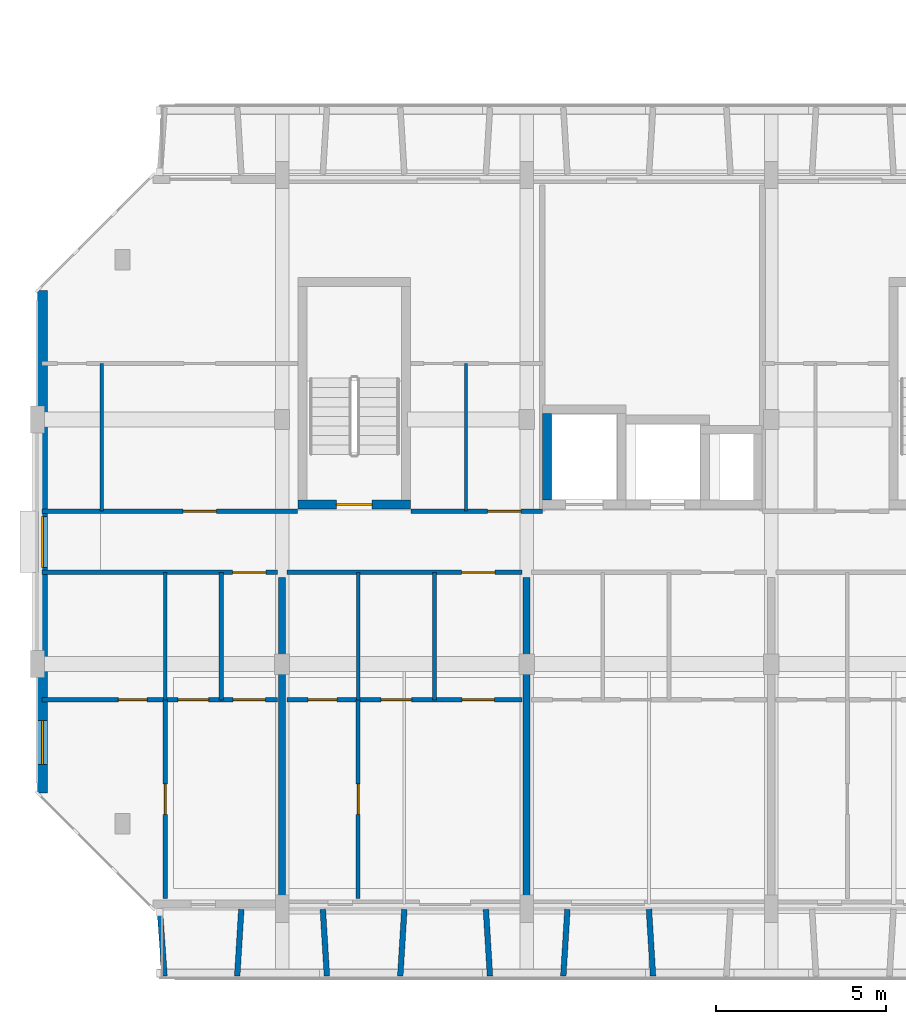
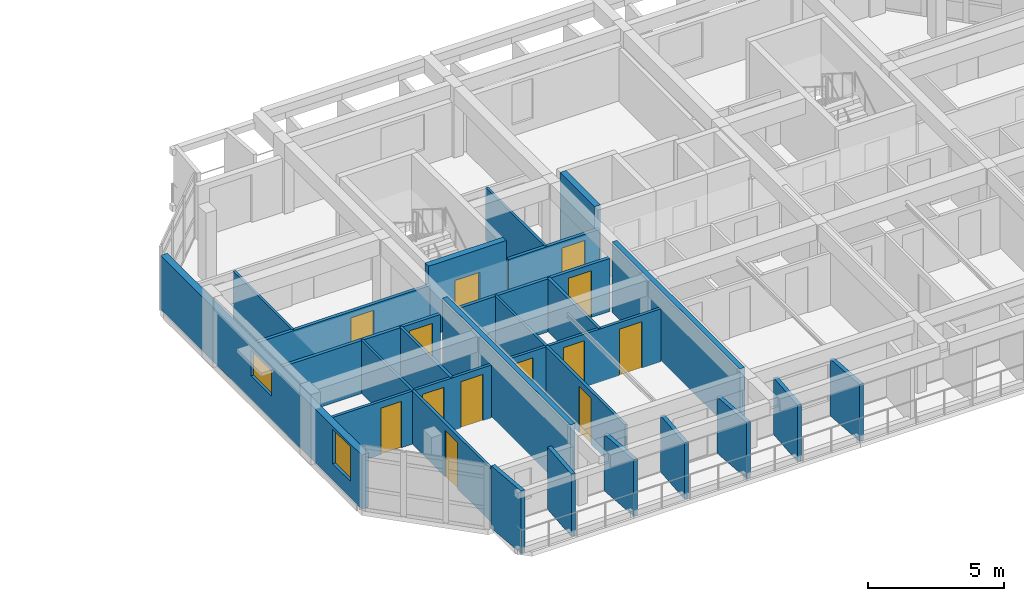
# One storey, part 17 of 46: 26 walls, 13 doors, 2 windows, 15 openings.
"""IFC4 building model written with IfcOpenShell, lengths in metres."""

from ifc_helpers import new_model, si_unit, direction, frame, frame_2d, origin, place, context, subcontext, project, spatial, rectangle, extrude, material, layer, layer_set, type_object, element, fill, save


model = new_model("IFC4")

# Units and contexts
model_context = context("Model", 3, precision=1e-05, world=origin(), true_north=direction((0.0, 1.0)))
body_context = subcontext(model_context, "Body", "Model", "MODEL_VIEW")
ifc_project = project(units=[si_unit("LENGTHUNIT", "METRE"), si_unit("AREAUNIT", "SQUARE_METRE"), si_unit("VOLUMEUNIT", "CUBIC_METRE"), si_unit("PLANEANGLEUNIT", "RADIAN"), si_unit("MASSUNIT", "GRAM", prefix="KILO")], contexts=[model_context])

# Site, building, storey
site_placement = place(None, origin())
site = spatial("IfcSite", under=ifc_project, at=site_placement, CompositionType="ELEMENT")
building_placement = place(site_placement, origin())
building = spatial("IfcBuilding", under=site, at=building_placement, Name="Ochrevale Crest", CompositionType="ELEMENT")
storey_placement = place(building_placement, frame((0.0, 0.0, 24.449951171875)))
storey = spatial("IfcBuildingStorey", under=building, at=storey_placement, Name="L07", CompositionType="ELEMENT", Elevation=24.449951171875)

# Wall, opening, door
ifc_material_1 = material(Name="Gypsum plasterboard", Category="gypsum")
ifc_layer_1 = layer(ifc_material_1, 0.139892578125)
ifc_layer_set_1 = layer_set([ifc_layer_1], Name="Gypsum plasterboard")
wall_type_1 = type_object("IfcWallType", Name="WL-COR-140", PredefinedType="PARTITIONING", material=ifc_layer_set_1)
wall_1_placement = place(storey_placement, frame((0.139892578125, 24.300048828125, 0.0), z_axis=(0.0, 0.0, 1.0), x_axis=(1.0, 0.0, 0.0)))
wall_1 = element("IfcWall", 1, at=wall_1_placement, inside=storey, type_object=wall_type_1, Name="Apartment A-L07-U1 corridor wall", PredefinedType="PARTITIONING", context=body_context, shape_type="SweptSolid", body=[
    extrude(rectangle(XDim=6.920166015625, YDim=0.139892578125, at=frame_2d((3.4599609375, 0.0))), origin(), (0.0, 0.0, 1.0), 2.380126953125),
])
opening_1_placement = place(wall_1_placement, frame((5.60498046875, 0.0, 0.0)))
opening_1 = element("IfcOpeningElement", 2, at=opening_1_placement, cuts=wall_1, Name="Opening FD01", PredefinedType="OPENING", context=body_context, shape_type="SweptSolid", body=[
    extrude(rectangle(XDim=0.97998046875, YDim=2.10009765625, at=frame_2d((0.489990234375, 1.050048828125))), frame((0.0, 0.080078125, 0.0), z_axis=(0.0, -1.0, 0.0), x_axis=(1.0, 0.0, 0.0)), (0.0, 0.0, 1.0), 0.159912109375),
])
ifc_material_2 = material(Name="Solid-core FSC hardwood", Category="wood")
door_type_1 = type_object("IfcDoorType", Name="DR-APT-950", OperationType="NOTDEFINED", PredefinedType="DOOR", material=ifc_material_2)
door_1_placement = place(opening_1_placement, origin())
door_1 = element("IfcDoor", 3, at=door_1_placement, inside=storey, type_object=door_type_1, Name="Apartment A-L07-U1 entrance door", OperationType="SINGLE_SWING_LEFT", OverallHeight=2.10009765625, OverallWidth=0.97998046875, PredefinedType="DOOR", context=body_context, shape_type="SweptSolid", body=[
    extrude(rectangle(XDim=0.97998046875, YDim=2.10009765625, at=frame_2d((0.489990234375, 1.050048828125))), frame((0.0, 0.02490234375, 0.0), z_axis=(0.0, -1.0, 0.0), x_axis=(1.0, 0.0, 0.0)), (0.0, 0.0, 1.0), 0.050048828125),
])
fill(opening_1, door_1)

wall_2_placement = place(storey_placement, frame((7.340087890625, 24.300048828125, 0.0), z_axis=(0.0, 0.0, 1.0), x_axis=(1.0, 0.0, 0.0)))
wall_2 = element("IfcWall", 4, at=wall_2_placement, inside=storey, type_object=wall_type_1, Name="Apartment A-L07-U2 corridor wall", PredefinedType="PARTITIONING", context=body_context, shape_type="SweptSolid", body=[
    extrude(rectangle(XDim=6.919921875, YDim=0.139892578125, at=frame_2d((3.4599609375, 0.0))), origin(), (0.0, 0.0, 1.0), 2.380126953125),
])
opening_2_placement = place(wall_2_placement, frame((6.125, 0.0, 0.0), z_axis=(0.0, 0.0, 1.0), x_axis=(-1.0, 0.0, 0.0)))
opening_2 = element("IfcOpeningElement", 5, at=opening_2_placement, cuts=wall_2, Name="Opening FD01", PredefinedType="OPENING", context=body_context, shape_type="SweptSolid", body=[
    extrude(rectangle(XDim=0.97998046875, YDim=2.10009765625, at=frame_2d((0.489990234375, 1.050048828125))), frame((0.0, 0.080078125, 0.0), z_axis=(0.0, -1.0, 0.0), x_axis=(1.0, 0.0, 0.0)), (0.0, 0.0, 1.0), 0.159912109375),
])
door_2_placement = place(opening_2_placement, origin())
door_2 = element("IfcDoor", 6, at=door_2_placement, inside=storey, type_object=door_type_1, Name="Apartment A-L07-U2 entrance door", OperationType="SINGLE_SWING_RIGHT", OverallHeight=2.10009765625, OverallWidth=0.97998046875, PredefinedType="DOOR", context=body_context, shape_type="SweptSolid", body=[
    extrude(rectangle(XDim=0.97998046875, YDim=2.10009765625, at=frame_2d((0.489990234375, 1.050048828125))), frame((0.0, 0.02490234375, 0.0), z_axis=(0.0, -1.0, 0.0), x_axis=(1.0, 0.0, 0.0)), (0.0, 0.0, 1.0), 0.050048828125),
])
fill(opening_2, door_2)

wall_3_placement = place(storey_placement, frame((0.139892578125, 26.10009765625, 0.0), z_axis=(0.0, 0.0, 1.0), x_axis=(1.0, 0.0, 0.0)))
wall_3 = element("IfcWall", 7, at=wall_3_placement, inside=storey, type_object=wall_type_1, Name="Suite A-L07-CW corridor wall", PredefinedType="PARTITIONING", context=body_context, shape_type="SweptSolid", body=[
    extrude(rectangle(XDim=7.52001953125, YDim=0.139892578125, at=frame_2d((3.760009765625, 0.0))), origin(), (0.0, 0.0, 1.0), 2.380126953125),
])
opening_3_placement = place(wall_3_placement, frame((5.125, 0.0, 0.0), z_axis=(0.0, 0.0, 1.0), x_axis=(-1.0, 0.0, 0.0)))
opening_3 = element("IfcOpeningElement", 8, at=opening_3_placement, cuts=wall_3, Name="Opening FD01", PredefinedType="OPENING", context=body_context, shape_type="SweptSolid", body=[
    extrude(rectangle(XDim=0.97998046875, YDim=2.10009765625, at=frame_2d((0.489990234375, 1.050048828125))), frame((0.0, 0.080078125, 0.0), z_axis=(0.0, -1.0, 0.0), x_axis=(1.0, 0.0, 0.0)), (0.0, 0.0, 1.0), 0.159912109375),
])
door_3_placement = place(opening_3_placement, origin())
door_3 = element("IfcDoor", 9, at=door_3_placement, inside=storey, type_object=door_type_1, Name="Suite A-L07-CW entrance door", OperationType="SINGLE_SWING_RIGHT", OverallHeight=2.10009765625, OverallWidth=0.97998046875, PredefinedType="DOOR", context=body_context, shape_type="SweptSolid", body=[
    extrude(rectangle(XDim=0.97998046875, YDim=2.10009765625, at=frame_2d((0.489990234375, 1.050048828125))), frame((0.0, 0.02490234375, 0.0), z_axis=(0.0, -1.0, 0.0), x_axis=(1.0, 0.0, 0.0)), (0.0, 0.0, 1.0), 0.050048828125),
])
fill(opening_3, door_3)

wall_4_placement = place(storey_placement, frame((10.989990234375, 26.10009765625, 0.0), z_axis=(0.0, 0.0, 1.0), x_axis=(1.0, 0.0, 0.0)))
wall_4 = element("IfcWall", 10, at=wall_4_placement, inside=storey, type_object=wall_type_1, Name="Suite A-L07-MW corridor wall", PredefinedType="PARTITIONING", context=body_context, shape_type="SweptSolid", body=[
    extrude(rectangle(XDim=3.8701171875, YDim=0.139892578125, at=frame_2d((1.93505859375, 0.0))), origin(), (0.0, 0.0, 1.0), 2.380126953125),
])
opening_4_placement = place(wall_4_placement, frame((2.2578125, 0.0, 0.0)))
opening_4 = element("IfcOpeningElement", 11, at=opening_4_placement, cuts=wall_4, Name="Opening FD01", PredefinedType="OPENING", context=body_context, shape_type="SweptSolid", body=[
    extrude(rectangle(XDim=0.97998046875, YDim=2.10009765625, at=frame_2d((0.489990234375, 1.050048828125))), frame((0.0, 0.080078125, 0.0), z_axis=(0.0, -1.0, 0.0), x_axis=(1.0, 0.0, 0.0)), (0.0, 0.0, 1.0), 0.159912109375),
])
door_4_placement = place(opening_4_placement, origin())
door_4 = element("IfcDoor", 12, at=door_4_placement, inside=storey, type_object=door_type_1, Name="Suite A-L07-MW entrance door", OperationType="SINGLE_SWING_LEFT", OverallHeight=2.10009765625, OverallWidth=0.97998046875, PredefinedType="DOOR", context=body_context, shape_type="SweptSolid", body=[
    extrude(rectangle(XDim=0.97998046875, YDim=2.10009765625, at=frame_2d((0.489990234375, 1.050048828125))), frame((0.0, 0.02490234375, 0.0), z_axis=(0.0, -1.0, 0.0), x_axis=(1.0, 0.0, 0.0)), (0.0, 0.0, 1.0), 0.050048828125),
])
fill(opening_4, door_4)

ifc_material_3 = material(Name="Precast concrete C50/60", Category="concrete")
ifc_layer_2 = layer(ifc_material_3, 0.2548828125)
ifc_layer_set_2 = layer_set([ifc_layer_2], Name="Precast concrete C50/60")
wall_type_2 = type_object("IfcWallType", Name="WL-CORE-255", PredefinedType="SHEAR", material=ifc_layer_set_2)
wall_5_placement = place(storey_placement, frame((7.672607421875, 26.300048828125, 0.0), z_axis=(0.0, 0.0, 1.0), x_axis=(1.0, 0.0, 0.0)))
wall_5 = element("IfcWall", 13, at=wall_5_placement, inside=storey, type_object=wall_type_2, Name="Block A L07 Stair 1 precast core shear wall S", PredefinedType="SHEAR", context=body_context, shape_type="SweptSolid", body=[
    extrude(rectangle(XDim=3.304931640625, YDim=0.2548828125, at=frame_2d((1.65234375, 0.0))), origin(), (0.0, 0.0, 1.0), 3.150146484375),
])
opening_5_placement = place(wall_5_placement, frame((2.177490234375, 0.0, 0.0), z_axis=(0.0, 0.0, 1.0), x_axis=(-1.0, 0.0, 0.0)))
opening_5 = element("IfcOpeningElement", 14, at=opening_5_placement, cuts=wall_5, Name="Opening FD03", PredefinedType="OPENING", context=body_context, shape_type="SweptSolid", body=[
    extrude(rectangle(XDim=1.050048828125, YDim=2.1201171875, at=frame_2d((0.52490234375, 1.06005859375))), frame((0.0, 0.137451171875, 0.0), z_axis=(0.0, -1.0, 0.0), x_axis=(1.0, 0.0, 0.0)), (0.0, 0.0, 1.0), 0.27490234375),
])
door_type_2 = type_object("IfcDoorType", Name="DR-ST-1050", OperationType="NOTDEFINED", PredefinedType="DOOR", material=ifc_material_2)
door_5_placement = place(opening_5_placement, origin())
door_5 = element("IfcDoor", 15, at=door_5_placement, inside=storey, type_object=door_type_2, Name="Block A L07 fire stair 1 door", OperationType="SINGLE_SWING_RIGHT", OverallHeight=2.1201171875, OverallWidth=1.050048828125, PredefinedType="DOOR", context=body_context, shape_type="SweptSolid", body=[
    extrude(rectangle(XDim=1.050048828125, YDim=2.1201171875, at=frame_2d((0.52490234375, 1.06005859375))), frame((0.0, 0.02490234375, 0.0), z_axis=(0.0, -1.0, 0.0), x_axis=(1.0, 0.0, 0.0)), (0.0, 0.0, 1.0), 0.050048828125),
])
fill(opening_5, door_5)

# Wall
wall_6_placement = place(storey_placement, frame((15.0, 26.427490234375, 0.0), z_axis=(0.0, 0.0, 1.0), x_axis=(0.0, 1.0, 0.0)))
element("IfcWall", 16, at=wall_6_placement, inside=storey, type_object=wall_type_2, Name="Block A L07 Lift 1 precast shaft shear wall W", PredefinedType="SHEAR", context=body_context, shape_type="SweptSolid", body=[
    extrude(rectangle(XDim=2.544921875, YDim=0.2548828125, at=frame_2d((1.2724609375, 0.0))), origin(), (0.0, 0.0, 1.0), 3.150146484375),
])

# Wall, openings, windows
ifc_material_4 = material(Name="Clay face brickwork", Category="masonry")
ifc_layer_3 = layer(ifc_material_4, 0.2900390625)
ifc_layer_set_3 = layer_set([ifc_layer_3], Name="Clay face brickwork")
wall_type_3 = type_object("IfcWallType", Name="WL-EXT-BRICK-290", PredefinedType="SOLIDWALL", material=ifc_layer_set_3)
wall_7_placement = place(storey_placement, frame((0.14501953125, 32.60009765625, 0.0), z_axis=(0.0, 0.0, 1.0), x_axis=(0.0, -1.0, 0.0)))
wall_7 = element("IfcWall", 17, at=wall_7_placement, inside=storey, type_object=wall_type_3, Name="Block A L07 external facade wall E7", PredefinedType="SOLIDWALL", context=body_context, shape_type="SweptSolid", body=[
    extrude(rectangle(XDim=14.800048828125, YDim=0.2900390625, at=frame_2d((7.39990234375, 0.0))), origin(), (0.0, 0.0, 1.0), 2.429931640625),
])
opening_6_placement = place(wall_7_placement, frame((6.64990234375, 0.0, 1.050048828125)))
opening_6 = element("IfcOpeningElement", 18, at=opening_6_placement, cuts=wall_7, Name="Opening W18", PredefinedType="OPENING", context=body_context, shape_type="SweptSolid", body=[
    extrude(rectangle(XDim=1.5, YDim=1.14990234375, at=frame_2d((0.75, 0.574951171875))), frame((0.0, 0.155029296875, 0.0), z_axis=(0.0, -1.0, 0.0), x_axis=(1.0, 0.0, 0.0)), (0.0, 0.0, 1.0), 0.31005859375),
])
opening_7_placement = place(wall_7_placement, frame((12.659912109375, 0.0, 0.75)))
opening_7 = element("IfcOpeningElement", 19, at=opening_7_placement, cuts=wall_7, Name="Opening W30", PredefinedType="OPENING", context=body_context, shape_type="SweptSolid", body=[
    extrude(rectangle(XDim=1.300048828125, YDim=1.550048828125, at=frame_2d((0.64990234375, 0.77490234375))), frame((0.0, 0.155029296875, 0.0), z_axis=(0.0, -1.0, 0.0), x_axis=(1.0, 0.0, 0.0)), (0.0, 0.0, 1.0), 0.31005859375),
])
ifc_material_5 = material(Name="Anodised aluminium 6063-T5 and low-E double glazing", Category="aluminium")
window_type_1 = type_object("IfcWindowType", Name="WIN-W18", PartitioningType="SINGLE_PANEL", PredefinedType="WINDOW", material=ifc_material_5)
window_1_placement = place(opening_6_placement, origin())
window_1 = element("IfcWindow", 20, at=window_1_placement, inside=storey, type_object=window_type_1, Name="Block A L07 corridor end daylight window W", OverallHeight=1.14990234375, OverallWidth=1.5, PartitioningType="SINGLE_PANEL", PredefinedType="WINDOW", context=body_context, shape_type="SweptSolid", body=[
    extrude(rectangle(XDim=1.5, YDim=1.14990234375, at=frame_2d((0.75, 0.574951171875))), frame((0.0, 0.030029296875, 0.0), z_axis=(0.0, -1.0, 0.0), x_axis=(1.0, 0.0, 0.0)), (0.0, 0.0, 1.0), 0.06005859375),
])
fill(opening_6, window_1)
window_type_2 = type_object("IfcWindowType", Name="WIN-W30", PartitioningType="SINGLE_PANEL", PredefinedType="WINDOW", material=ifc_material_5)
window_2_placement = place(opening_7_placement, origin())
window_2 = element("IfcWindow", 21, at=window_2_placement, inside=storey, type_object=window_type_2, Name="Block A L07 side suite window W", OverallHeight=1.550048828125, OverallWidth=1.300048828125, PartitioningType="SINGLE_PANEL", PredefinedType="WINDOW", context=body_context, shape_type="SweptSolid", body=[
    extrude(rectangle(XDim=1.300048828125, YDim=1.550048828125, at=frame_2d((0.64990234375, 0.77490234375))), frame((0.0, 0.030029296875, 0.0), z_axis=(0.0, -1.0, 0.0), x_axis=(1.0, 0.0, 0.0)), (0.0, 0.0, 1.0), 0.06005859375),
])
fill(opening_7, window_2)

# Walls
ifc_material_6 = material(Name="Precast concrete C40/50", Category="concrete")
ifc_layer_4 = layer(ifc_material_6, 0.1650390625)
ifc_layer_set_4 = layer_set([ifc_layer_4], Name="Precast concrete C40/50")
wall_type_4 = type_object("IfcWallType", Name="WL-HC-CHEEK-165", PredefinedType="ELEMENTEDWALL", material=ifc_layer_set_4)
wall_8_placement = place(storey_placement, frame((3.60009765625, 14.3798828125, 0.0), z_axis=(0.0, 0.0, 1.0), x_axis=(0.071194071069, -0.997462482625, 0.0)))
element("IfcWall", 22, at=wall_8_placement, inside=storey, type_object=wall_type_4, Name="Block A L07 S precast honeycomb cheek 1", PredefinedType="ELEMENTEDWALL", context=body_context, shape_type="SweptSolid", body=[
    extrude(rectangle(XDim=1.96484375, YDim=0.1650390625, at=frame_2d((0.982421875, 0.0))), origin(), (0.0, 0.0, 1.0), 2.800048828125),
])
wall_9_placement = place(storey_placement, frame((6.0, 14.3798828125, 0.0), z_axis=(0.0, 0.0, 1.0), x_axis=(-0.061170732449, -0.998127317276, 0.0)))
element("IfcWall", 23, at=wall_9_placement, inside=storey, type_object=wall_type_4, Name="Block A L07 S precast honeycomb cheek 2", PredefinedType="ELEMENTEDWALL", context=body_context, shape_type="SweptSolid", body=[
    extrude(rectangle(XDim=1.963623046875, YDim=0.1650390625, at=frame_2d((0.98193359375, 0.0))), origin(), (0.0, 0.0, 1.0), 2.800048828125),
])
for number, where, z_axis, x_axis, name in (
    (24, (8.39990234375, 14.3798828125, 0.0), (0.0, 0.0, 1.0), (0.061170732449, -0.998127317276, 0.0), "Block A L07 S precast honeycomb cheek 3"),
    (25, (10.800048828125, 14.3798828125, 0.0), (0.0, 0.0, 1.0), (-0.061170732449, -0.998127317276, 0.0), "Block A L07 S precast honeycomb cheek 4"),
    (26, (13.199951171875, 14.3798828125, 0.0), (0.0, 0.0, 1.0), (0.061170732449, -0.998127317276, 0.0), "Block A L07 S precast honeycomb cheek 5"),
):
    element("IfcWall", number, at=place(storey_placement, frame(where, z_axis=z_axis, x_axis=x_axis)), inside=storey, type_object=wall_type_4, Name=name, PredefinedType="ELEMENTEDWALL", context=body_context, shape_type="SweptSolid", body=[
        extrude(rectangle(XDim=1.963623046875, YDim=0.1650390625, at=frame_2d((0.98193359375, 0.0))), origin(), (0.0, 0.0, 1.0), 2.530029296875),
    ])
for number, where, z_axis, x_axis, name in (
    (27, (15.60009765625, 14.3798828125, 0.0), (0.0, 0.0, 1.0), (-0.061170732449, -0.998127317276, 0.0), "Block A L07 S precast honeycomb cheek 6"),
    (28, (18.0, 14.3798828125, 0.0), (0.0, 0.0, 1.0), (0.061170732449, -0.998127317276, 0.0), "Block A L07 S precast honeycomb cheek 7"),
):
    element("IfcWall", number, at=place(storey_placement, frame(where, z_axis=z_axis, x_axis=x_axis)), inside=storey, type_object=wall_type_4, Name=name, PredefinedType="ELEMENTEDWALL", context=body_context, shape_type="SweptSolid", body=[
        extrude(rectangle(XDim=1.963623046875, YDim=0.1650390625, at=frame_2d((0.98193359375, 0.0))), origin(), (0.0, 0.0, 1.0), 2.550048828125),
    ])
ifc_layer_5 = layer(ifc_material_1, 0.1201171875)
ifc_layer_set_5 = layer_set([ifc_layer_5], Name="Gypsum plasterboard")
wall_type_5 = type_object("IfcWallType", Name="WL-PART-120", PredefinedType="PARTITIONING", material=ifc_layer_set_5)
wall_10_placement = place(storey_placement, frame((5.409912109375, 20.550048828125, 0.0), z_axis=(0.0, 0.0, 1.0), x_axis=(0.0, 1.0, 0.0)))
element("IfcWall", 29, at=wall_10_placement, inside=storey, type_object=wall_type_5, Name="Apartment A-L07-U1 kitchen-foyer wall", PredefinedType="PARTITIONING", context=body_context, shape_type="SweptSolid", body=[
    extrude(rectangle(XDim=3.75, YDim=0.1201171875, at=frame_2d((1.875, 0.0))), origin(), (0.0, 0.0, 1.0), 2.380126953125),
])

# Wall, openings, doors
wall_11_placement = place(storey_placement, frame((0.139892578125, 20.550048828125, 0.0), z_axis=(0.0, 0.0, 1.0), x_axis=(1.0, 0.0, 0.0)))
wall_11 = element("IfcWall", 30, at=wall_11_placement, inside=storey, type_object=wall_type_5, Name="Apartment A-L07-U1 central partition", PredefinedType="PARTITIONING", context=body_context, shape_type="SweptSolid", body=[
    extrude(rectangle(XDim=6.920166015625, YDim=0.1201171875, at=frame_2d((3.4599609375, 0.0))), origin(), (0.0, 0.0, 1.0), 2.380126953125),
])
opening_8_placement = place(wall_11_placement, frame((3.090087890625, 0.0, 0.0), z_axis=(0.0, 0.0, 1.0), x_axis=(-1.0, 0.0, 0.0)))
opening_8 = element("IfcOpeningElement", 31, at=opening_8_placement, cuts=wall_11, Name="Opening ID01", PredefinedType="OPENING", context=body_context, shape_type="SweptSolid", body=[
    extrude(rectangle(XDim=0.85009765625, YDim=2.080078125, at=frame_2d((0.425048828125, 1.0400390625))), frame((0.0, 0.070068359375, 0.0), z_axis=(0.0, -1.0, 0.0), x_axis=(1.0, 0.0, 0.0)), (0.0, 0.0, 1.0), 0.14013671875),
])
opening_9_placement = place(wall_11_placement, frame((3.9951171875, 0.0, 0.0)))
opening_9 = element("IfcOpeningElement", 32, at=opening_9_placement, cuts=wall_11, Name="Opening ID02", PredefinedType="OPENING", context=body_context, shape_type="SweptSolid", body=[
    extrude(rectangle(XDim=0.89990234375, YDim=2.080078125, at=frame_2d((0.449951171875, 1.0400390625))), frame((0.0, 0.070068359375, 0.0), z_axis=(0.0, -1.0, 0.0), x_axis=(1.0, 0.0, 0.0)), (0.0, 0.0, 1.0), 0.14013671875),
])
opening_10_placement = place(wall_11_placement, frame((6.570068359375, 0.0, 0.0), z_axis=(0.0, 0.0, 1.0), x_axis=(-1.0, 0.0, 0.0)))
opening_10 = element("IfcOpeningElement", 33, at=opening_10_placement, cuts=wall_11, Name="Opening ID06", PredefinedType="OPENING", context=body_context, shape_type="SweptSolid", body=[
    extrude(rectangle(XDim=0.949951171875, YDim=2.080078125, at=frame_2d((0.47509765625, 1.0400390625))), frame((0.0, 0.070068359375, 0.0), z_axis=(0.0, -1.0, 0.0), x_axis=(1.0, 0.0, 0.0)), (0.0, 0.0, 1.0), 0.14013671875),
])
door_type_3 = type_object("IfcDoorType", Name="DR-INT-900", OperationType="NOTDEFINED", PredefinedType="DOOR", material=ifc_material_2)
door_6_placement = place(opening_9_placement, origin())
door_6 = element("IfcDoor", 34, at=door_6_placement, inside=storey, type_object=door_type_3, Name="Apartment A-L07-U1 Kitchen door", OperationType="SINGLE_SWING_LEFT", OverallHeight=2.080078125, OverallWidth=0.89990234375, PredefinedType="DOOR", context=body_context, shape_type="SweptSolid", body=[
    extrude(rectangle(XDim=0.89990234375, YDim=2.080078125, at=frame_2d((0.449951171875, 1.0400390625))), frame((0.0, 0.02490234375, 0.0), z_axis=(0.0, -1.0, 0.0), x_axis=(1.0, 0.0, 0.0)), (0.0, 0.0, 1.0), 0.050048828125),
])
fill(opening_9, door_6)
door_type_4 = type_object("IfcDoorType", Name="DR-INT-950", OperationType="NOTDEFINED", PredefinedType="DOOR", material=ifc_material_2)
door_7_placement = place(opening_10_placement, origin())
door_7 = element("IfcDoor", 35, at=door_7_placement, inside=storey, type_object=door_type_4, Name="Apartment A-L07-U1 Living Foyer door", OperationType="SINGLE_SWING_RIGHT", OverallHeight=2.080078125, OverallWidth=0.949951171875, PredefinedType="DOOR", context=body_context, shape_type="SweptSolid", body=[
    extrude(rectangle(XDim=0.949951171875, YDim=2.080078125, at=frame_2d((0.47509765625, 1.0400390625))), frame((0.0, 0.02490234375, 0.0), z_axis=(0.0, -1.0, 0.0), x_axis=(1.0, 0.0, 0.0)), (0.0, 0.0, 1.0), 0.050048828125),
])
fill(opening_10, door_7)
door_type_5 = type_object("IfcDoorType", Name="DR-WC-850", OperationType="NOTDEFINED", PredefinedType="DOOR", material=ifc_material_2)
door_8_placement = place(opening_8_placement, origin())
door_8 = element("IfcDoor", 36, at=door_8_placement, inside=storey, type_object=door_type_5, Name="Apartment A-L07-U1 Bathroom door", OperationType="SINGLE_SWING_RIGHT", OverallHeight=2.080078125, OverallWidth=0.85009765625, PredefinedType="DOOR", context=body_context, shape_type="SweptSolid", body=[
    extrude(rectangle(XDim=0.85009765625, YDim=2.080078125, at=frame_2d((0.425048828125, 1.0400390625))), frame((0.0, 0.02490234375, 0.0), z_axis=(0.0, -1.0, 0.0), x_axis=(1.0, 0.0, 0.0)), (0.0, 0.0, 1.0), 0.050048828125),
])
fill(opening_8, door_8)

# Wall, opening, door
wall_12_placement = place(storey_placement, frame((3.760009765625, 14.699951171875, 0.0), z_axis=(0.0, 0.0, 1.0), x_axis=(0.0, 1.0, 0.0)))
wall_12 = element("IfcWall", 37, at=wall_12_placement, inside=storey, type_object=wall_type_5, Name="Apartment A-L07-U1 bedroom partition", PredefinedType="PARTITIONING", context=body_context, shape_type="SweptSolid", body=[
    extrude(rectangle(XDim=5.85009765625, YDim=0.1201171875, at=frame_2d((2.925048828125, 0.0))), origin(), (0.0, 0.0, 1.0), 2.380126953125),
])
opening_11_placement = place(wall_12_placement, frame((2.47509765625, 0.0, 0.0)))
opening_11 = element("IfcOpeningElement", 38, at=opening_11_placement, cuts=wall_12, Name="Opening ID02", PredefinedType="OPENING", context=body_context, shape_type="SweptSolid", body=[
    extrude(rectangle(XDim=0.89990234375, YDim=2.080078125, at=frame_2d((0.449951171875, 1.0400390625))), frame((0.0, 0.070068359375, 0.0), z_axis=(0.0, -1.0, 0.0), x_axis=(1.0, 0.0, 0.0)), (0.0, 0.0, 1.0), 0.14013671875),
])
door_9_placement = place(opening_11_placement, origin())
door_9 = element("IfcDoor", 39, at=door_9_placement, inside=storey, type_object=door_type_3, Name="Apartment A-L07-U1 Master Bedroom door", OperationType="SINGLE_SWING_LEFT", OverallHeight=2.080078125, OverallWidth=0.89990234375, PredefinedType="DOOR", context=body_context, shape_type="SweptSolid", body=[
    extrude(rectangle(XDim=0.89990234375, YDim=2.080078125, at=frame_2d((0.449951171875, 1.0400390625))), frame((0.0, 0.02490234375, 0.0), z_axis=(0.0, -1.0, 0.0), x_axis=(1.0, 0.0, 0.0)), (0.0, 0.0, 1.0), 0.050048828125),
])
fill(opening_11, door_9)

# Wall
wall_13_placement = place(storey_placement, frame((11.68994140625, 20.550048828125, 0.0), z_axis=(0.0, 0.0, 1.0), x_axis=(0.0, 1.0, 0.0)))
element("IfcWall", 40, at=wall_13_placement, inside=storey, type_object=wall_type_5, Name="Apartment A-L07-U2 kitchen-foyer wall", PredefinedType="PARTITIONING", context=body_context, shape_type="SweptSolid", body=[
    extrude(rectangle(XDim=3.75, YDim=0.1201171875, at=frame_2d((1.875, 0.0))), origin(), (0.0, 0.0, 1.0), 2.380126953125),
])

# Wall, openings, doors
wall_14_placement = place(storey_placement, frame((7.340087890625, 20.550048828125, 0.0), z_axis=(0.0, 0.0, 1.0), x_axis=(1.0, 0.0, 0.0)))
wall_14 = element("IfcWall", 41, at=wall_14_placement, inside=storey, type_object=wall_type_5, Name="Apartment A-L07-U2 central partition", PredefinedType="PARTITIONING", context=body_context, shape_type="SweptSolid", body=[
    extrude(rectangle(XDim=6.919921875, YDim=0.1201171875, at=frame_2d((3.4599609375, 0.0))), origin(), (0.0, 0.0, 1.0), 2.380126953125),
])
opening_12_placement = place(wall_14_placement, frame((0.625, 0.0, 0.0)))
opening_12 = element("IfcOpeningElement", 42, at=opening_12_placement, cuts=wall_14, Name="Opening ID01", PredefinedType="OPENING", context=body_context, shape_type="SweptSolid", body=[
    extrude(rectangle(XDim=0.85009765625, YDim=2.080078125, at=frame_2d((0.425048828125, 1.0400390625))), frame((0.0, 0.070068359375, 0.0), z_axis=(0.0, -1.0, 0.0), x_axis=(1.0, 0.0, 0.0)), (0.0, 0.0, 1.0), 0.14013671875),
])
opening_13_placement = place(wall_14_placement, frame((3.6748046875, 0.0, 0.0), z_axis=(0.0, 0.0, 1.0), x_axis=(-1.0, 0.0, 0.0)))
opening_13 = element("IfcOpeningElement", 43, at=opening_13_placement, cuts=wall_14, Name="Opening ID02", PredefinedType="OPENING", context=body_context, shape_type="SweptSolid", body=[
    extrude(rectangle(XDim=0.89990234375, YDim=2.080078125, at=frame_2d((0.449951171875, 1.0400390625))), frame((0.0, 0.070068359375, 0.0), z_axis=(0.0, -1.0, 0.0), x_axis=(1.0, 0.0, 0.0)), (0.0, 0.0, 1.0), 0.14013671875),
])
opening_14_placement = place(wall_14_placement, frame((5.159912109375, 0.0, 0.0)))
opening_14 = element("IfcOpeningElement", 44, at=opening_14_placement, cuts=wall_14, Name="Opening ID06", PredefinedType="OPENING", context=body_context, shape_type="SweptSolid", body=[
    extrude(rectangle(XDim=0.949951171875, YDim=2.080078125, at=frame_2d((0.47509765625, 1.0400390625))), frame((0.0, 0.070068359375, 0.0), z_axis=(0.0, -1.0, 0.0), x_axis=(1.0, 0.0, 0.0)), (0.0, 0.0, 1.0), 0.14013671875),
])
door_10_placement = place(opening_13_placement, origin())
door_10 = element("IfcDoor", 45, at=door_10_placement, inside=storey, type_object=door_type_3, Name="Apartment A-L07-U2 Kitchen door", OperationType="SINGLE_SWING_RIGHT", OverallHeight=2.080078125, OverallWidth=0.89990234375, PredefinedType="DOOR", context=body_context, shape_type="SweptSolid", body=[
    extrude(rectangle(XDim=0.89990234375, YDim=2.080078125, at=frame_2d((0.449951171875, 1.0400390625))), frame((0.0, 0.02490234375, 0.0), z_axis=(0.0, -1.0, 0.0), x_axis=(1.0, 0.0, 0.0)), (0.0, 0.0, 1.0), 0.050048828125),
])
fill(opening_13, door_10)
door_11_placement = place(opening_14_placement, origin())
door_11 = element("IfcDoor", 46, at=door_11_placement, inside=storey, type_object=door_type_4, Name="Apartment A-L07-U2 Living Foyer door", OperationType="SINGLE_SWING_LEFT", OverallHeight=2.080078125, OverallWidth=0.949951171875, PredefinedType="DOOR", context=body_context, shape_type="SweptSolid", body=[
    extrude(rectangle(XDim=0.949951171875, YDim=2.080078125, at=frame_2d((0.47509765625, 1.0400390625))), frame((0.0, 0.02490234375, 0.0), z_axis=(0.0, -1.0, 0.0), x_axis=(1.0, 0.0, 0.0)), (0.0, 0.0, 1.0), 0.050048828125),
])
fill(opening_14, door_11)
door_12_placement = place(opening_12_placement, origin())
door_12 = element("IfcDoor", 47, at=door_12_placement, inside=storey, type_object=door_type_5, Name="Apartment A-L07-U2 Bathroom door", OperationType="SINGLE_SWING_LEFT", OverallHeight=2.080078125, OverallWidth=0.85009765625, PredefinedType="DOOR", context=body_context, shape_type="SweptSolid", body=[
    extrude(rectangle(XDim=0.85009765625, YDim=2.080078125, at=frame_2d((0.425048828125, 1.0400390625))), frame((0.0, 0.02490234375, 0.0), z_axis=(0.0, -1.0, 0.0), x_axis=(1.0, 0.0, 0.0)), (0.0, 0.0, 1.0), 0.050048828125),
])
fill(opening_12, door_12)

# Wall, opening, door
wall_15_placement = place(storey_placement, frame((9.43994140625, 14.699951171875, 0.0), z_axis=(0.0, 0.0, 1.0), x_axis=(0.0, 1.0, 0.0)))
wall_15 = element("IfcWall", 48, at=wall_15_placement, inside=storey, type_object=wall_type_5, Name="Apartment A-L07-U2 bedroom partition", PredefinedType="PARTITIONING", context=body_context, shape_type="SweptSolid", body=[
    extrude(rectangle(XDim=5.85009765625, YDim=0.1201171875, at=frame_2d((2.925048828125, 0.0))), origin(), (0.0, 0.0, 1.0), 2.380126953125),
])
opening_15_placement = place(wall_15_placement, frame((3.375, 0.0, 0.0), z_axis=(0.0, 0.0, 1.0), x_axis=(-1.0, 0.0, 0.0)))
opening_15 = element("IfcOpeningElement", 49, at=opening_15_placement, cuts=wall_15, Name="Opening ID02", PredefinedType="OPENING", context=body_context, shape_type="SweptSolid", body=[
    extrude(rectangle(XDim=0.89990234375, YDim=2.080078125, at=frame_2d((0.449951171875, 1.0400390625))), frame((0.0, 0.070068359375, 0.0), z_axis=(0.0, -1.0, 0.0), x_axis=(1.0, 0.0, 0.0)), (0.0, 0.0, 1.0), 0.14013671875),
])
door_13_placement = place(opening_15_placement, origin())
door_13 = element("IfcDoor", 50, at=door_13_placement, inside=storey, type_object=door_type_3, Name="Apartment A-L07-U2 Twin Bedroom door", OperationType="SINGLE_SWING_RIGHT", OverallHeight=2.080078125, OverallWidth=0.89990234375, PredefinedType="DOOR", context=body_context, shape_type="SweptSolid", body=[
    extrude(rectangle(XDim=0.89990234375, YDim=2.080078125, at=frame_2d((0.449951171875, 1.0400390625))), frame((0.0, 0.02490234375, 0.0), z_axis=(0.0, -1.0, 0.0), x_axis=(1.0, 0.0, 0.0)), (0.0, 0.0, 1.0), 0.050048828125),
])
fill(opening_15, door_13)

# Walls
ifc_layer_6 = layer(ifc_material_6, 0.2099609375)
ifc_layer_set_6 = layer_set([ifc_layer_6], Name="Precast concrete C40/50")
wall_type_6 = type_object("IfcWallType", Name="WL-SHEAR-210", PredefinedType="SHEAR", material=ifc_layer_set_6)
for number, where, z_axis, x_axis, name in (
    (51, (7.199951171875, 14.75, 0.0), (0.0, 0.0, 1.0), (0.0, 1.0, 0.0), "Block A L07 load-bearing precast cross-wall X=7.2"),
    (52, (14.39990234375, 14.75, 0.0), (0.0, 0.0, 1.0), (0.0, 1.0, 0.0), "Block A L07 load-bearing precast cross-wall X=14.4"),
):
    element("IfcWall", number, at=place(storey_placement, frame(where, z_axis=z_axis, x_axis=x_axis)), inside=storey, type_object=wall_type_6, Name=name, PredefinedType="SHEAR", context=body_context, shape_type="SweptSolid", body=[
        extrude(rectangle(XDim=9.39990234375, YDim=0.2099609375, at=frame_2d((4.699951171875, 0.0))), origin(), (0.0, 0.0, 1.0), 3.150146484375),
    ])
ifc_layer_7 = layer(ifc_material_1, 0.10009765625)
ifc_layer_set_7 = layer_set([ifc_layer_7], Name="Gypsum plasterboard")
wall_type_7 = type_object("IfcWallType", Name="WL-WET-100", PredefinedType="PARTITIONING", material=ifc_layer_set_7)
for number, where, z_axis, x_axis, name in (
    (53, (3.760009765625, 20.550048828125, 0.0), (0.0, 0.0, 1.0), (0.0, 1.0, 0.0), "Apartment A-L07-U1 bath-kitchen wall"),
    (54, (9.43994140625, 20.550048828125, 0.0), (0.0, 0.0, 1.0), (0.0, 1.0, 0.0), "Apartment A-L07-U2 bath-kitchen wall"),
):
    element("IfcWall", number, at=place(storey_placement, frame(where, z_axis=z_axis, x_axis=x_axis)), inside=storey, type_object=wall_type_7, Name=name, PredefinedType="PARTITIONING", context=body_context, shape_type="SweptSolid", body=[
        extrude(rectangle(XDim=3.75, YDim=0.10009765625, at=frame_2d((1.875, 0.0))), origin(), (0.0, 0.0, 1.0), 2.380126953125),
    ])
for number, where, z_axis, x_axis, name in (
    (55, (1.889892578125, 26.10009765625, 0.0), (0.0, 0.0, 1.0), (0.0, 1.0, 0.0), "Suite A-L07-CW bathroom divider"),
    (56, (12.615478515625, 26.10009765625, 0.0), (0.0, 0.0, 1.0), (0.0, 1.0, 0.0), "Suite A-L07-MW bathroom divider"),
):
    element("IfcWall", number, at=place(storey_placement, frame(where, z_axis=z_axis, x_axis=x_axis)), inside=storey, type_object=wall_type_7, Name=name, PredefinedType="PARTITIONING", context=body_context, shape_type="SweptSolid", body=[
        extrude(rectangle(XDim=4.349853515625, YDim=0.10009765625, at=frame_2d((2.1748046875, 0.0))), origin(), (0.0, 0.0, 1.0), 2.380126953125),
    ])

save(model, "model.ifc")
